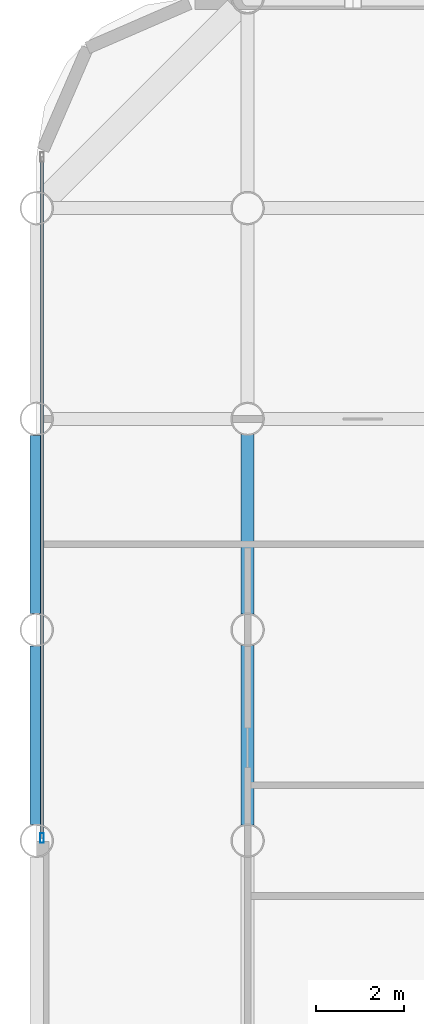
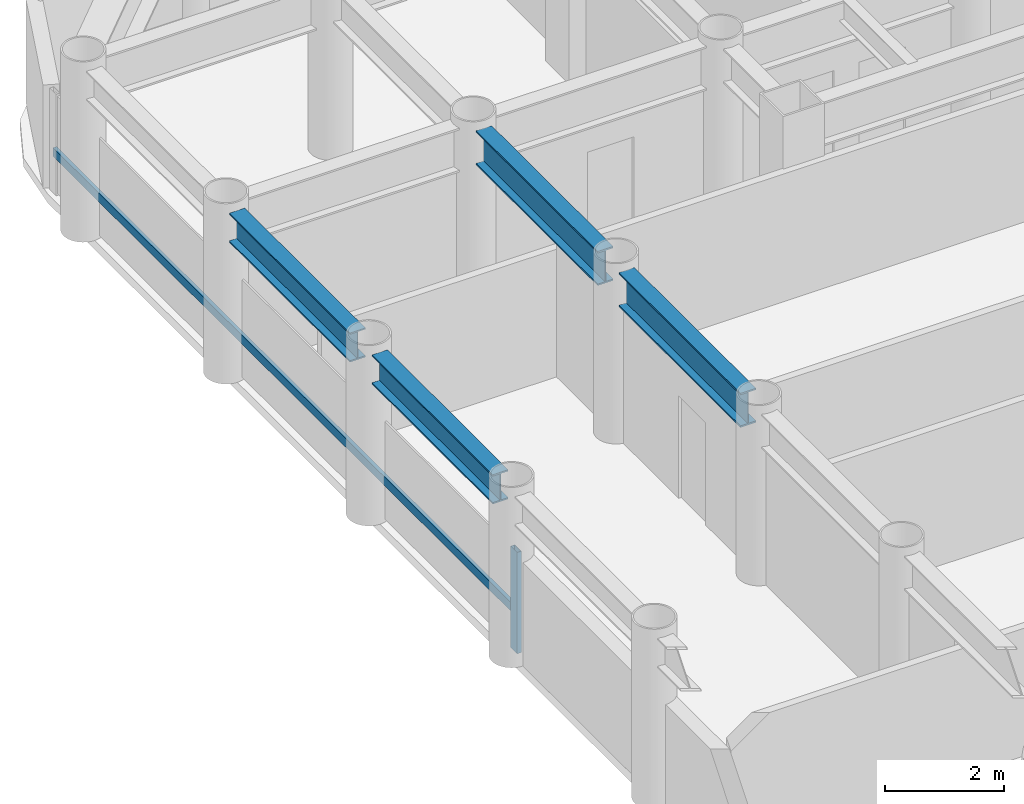
# One storey, part 4 of 21: 4 beams, 2 members, 1 element without a shape of its own.
"""IFC4 building model written with IfcOpenShell, lengths in metres."""

from ifc_helpers import new_model, si_unit, direction, frame, origin, origin_2d, place, context, subcontext, project, spatial, hollow_rectangle, i_section, extrude, material, layer, layer_set, material_profile, profile_set, type_object, element, aggregate, save


model = new_model("IFC4")

# Units and contexts
model_context = context("Model", 3, precision=1e-05, world=origin(), true_north=direction((0.0, 1.0)))
body_context = subcontext(model_context, "Body", "Model", "MODEL_VIEW")
ifc_project = project(units=[si_unit("LENGTHUNIT", "METRE"), si_unit("AREAUNIT", "SQUARE_METRE"), si_unit("VOLUMEUNIT", "CUBIC_METRE"), si_unit("PLANEANGLEUNIT", "RADIAN"), si_unit("MASSUNIT", "GRAM", prefix="KILO")], contexts=[model_context])

# Site, building, storey
site_placement = place(None, origin())
site = spatial("IfcSite", under=ifc_project, at=site_placement, CompositionType="ELEMENT")
building_placement = place(site_placement, origin())
building = spatial("IfcBuilding", under=site, at=building_placement, Name="Kallvorn Hotel Tower", CompositionType="ELEMENT")
storey_placement = place(building_placement, frame((0.0, 0.0, 41.10009765625)))
storey = spatial("IfcBuildingStorey", under=building, at=storey_placement, Name="L08", CompositionType="ELEMENT", Elevation=41.10009765625)

# Beams
ifc_material_1 = material(Name="Structural steel S355JR", Category="steel")
ifc_material_profile_1 = material_profile(ifc_material_1, i_section(OverallWidth=0.300048828125, OverallDepth=0.60009765625, WebThickness=0.015380859375, FlangeThickness=0.030029296875, at=origin_2d()), Name="HE 600 B")
ifc_profile_set_1 = profile_set([ifc_material_profile_1], Name="Structural steel S355JR")
beam_type_1 = type_object("IfcBeamType", Name="BM_HE600B", PredefinedType="SPANDREL", material=ifc_profile_set_1)
beam_1_placement = place(storey_placement, frame((-33.60009765625, 0.37109375, 3.219970703125), z_axis=(0.0, 1.0, 0.0), x_axis=(-1.0, 0.0, 0.0)))
element("IfcBeam", 1, at=beam_1_placement, inside=storey, type_object=beam_type_1, Name="L09 Perimeter Spandrel 178", PredefinedType="SPANDREL", context=body_context, shape_type="SweptSolid", body=[
    extrude(i_section(OverallWidth=0.300048828125, OverallDepth=0.60009765625, WebThickness=0.015380859375, FlangeThickness=0.030029296875, at=origin_2d()), origin(), (0.0, 0.0, 1.0), 4.057861328125),
])
beam_2_placement = place(storey_placement, frame((-33.60009765625, 5.1708984375, 3.219970703125), z_axis=(0.0, 1.0, 0.0), x_axis=(-1.0, 0.0, 0.0)))
element("IfcBeam", 2, at=beam_2_placement, inside=storey, type_object=beam_type_1, Name="L09 Perimeter Spandrel 179", PredefinedType="SPANDREL", context=body_context, shape_type="SweptSolid", body=[
    extrude(i_section(OverallWidth=0.300048828125, OverallDepth=0.60009765625, WebThickness=0.015380859375, FlangeThickness=0.030029296875, at=origin_2d()), origin(), (0.0, 0.0, 1.0), 4.05810546875),
])
ifc_material_2 = material(Name="Structural steel S355JR", Category="steel")
ifc_material_profile_2 = material_profile(ifc_material_2, i_section(OverallWidth=0.300048828125, OverallDepth=0.699951171875, WebThickness=0.01708984375, FlangeThickness=0.031982421875, at=origin_2d()), Name="HE 700 B")
ifc_profile_set_2 = profile_set([ifc_material_profile_2], Name="Structural steel S355JR")
beam_type_2 = type_object("IfcBeamType", Name="BM_HE700B", PredefinedType="BEAM", material=ifc_profile_set_2)
beam_3_placement = place(storey_placement, frame((-28.800048828125, 0.35595703125, 3.169921875), z_axis=(0.0, 1.0, 0.0), x_axis=(-1.0, 0.0, 0.0)))
element("IfcBeam", 3, at=beam_3_placement, inside=storey, type_object=beam_type_2, Name="L09 Primary Y-Girder 78", PredefinedType="BEAM", context=body_context, shape_type="SweptSolid", body=[
    extrude(i_section(OverallWidth=0.300048828125, OverallDepth=0.699951171875, WebThickness=0.01708984375, FlangeThickness=0.031982421875, at=origin_2d()), origin(), (0.0, 0.0, 1.0), 4.088134765625),
])
beam_4_placement = place(storey_placement, frame((-28.800048828125, 5.156005859375, 3.169921875), z_axis=(0.0, 1.0, 0.0), x_axis=(-1.0, 0.0, 0.0)))
element("IfcBeam", 4, at=beam_4_placement, inside=storey, type_object=beam_type_2, Name="L09 Primary Y-Girder 79", PredefinedType="BEAM", context=body_context, shape_type="SweptSolid", body=[
    extrude(i_section(OverallWidth=0.300048828125, OverallDepth=0.699951171875, WebThickness=0.01708984375, FlangeThickness=0.031982421875, at=origin_2d()), origin(), (0.0, 0.0, 1.0), 4.087890625),
])

# Curtain wall, members
ifc_material_3 = material(Name="Thermally broken black-anodised aluminium AA 6063-T6", Category="aluminium")
ifc_layer = layer(ifc_material_3, 0.199951171875)
ifc_layer_set = layer_set([ifc_layer], Name="CW_SYS_3_HOTEL_LOW")
curtain_wall_type = type_object("IfcCurtainWallType", Name="CW_SYS_3_HOTEL_LOW", PredefinedType="USERDEFINED", material=ifc_layer_set)
curtain_wall_placement = place(storey_placement, origin())
curtain_wall = element("IfcCurtainWall", 5, at=curtain_wall_placement, inside=storey, type_object=curtain_wall_type, Name="L08 Dark-Glass Curtain Wall CW-L08-WN", ObjectType="UNITISED CURTAIN WALL", PredefinedType="USERDEFINED")
ifc_material_4 = material(Name="Thermally broken black-anodised aluminium AA 6063-T6", Category="aluminium")
ifc_material_profile_3 = material_profile(ifc_material_4, hollow_rectangle(XDim=0.080078125, YDim=0.219970703125, WallThickness=0.0048828125, at=origin_2d()), Name="MUL 220x80")
ifc_profile_set_3 = profile_set([ifc_material_profile_3], Name="Thermally broken black-anodised aluminium AA 6063-T6")
member_type_1 = type_object("IfcMemberType", Name="CW_MULLION_220x80", PredefinedType="MULLION", material=ifc_profile_set_3)
member_1_placement = place(storey_placement, frame((-33.47998046875, 0.06005859375, 0.02001953125), z_axis=(0.0, 0.0, 1.0), x_axis=(1.0, 0.0, 0.0)))
member_1 = element("IfcMember", 6, at=member_1_placement, type_object=member_type_1, Name="CW-L08-WN Mullion 00", PredefinedType="MULLION", context=body_context, shape_type="SweptSolid", body=[
    extrude(hollow_rectangle(XDim=0.080078125, YDim=0.219970703125, WallThickness=0.0048828125, at=origin_2d()), origin(), (0.0, 0.0, 1.0), 2.079833984375),
])
ifc_material_5 = material(Name="Thermally broken black-anodised aluminium AA 6063-T6", Category="aluminium")
ifc_material_profile_4 = material_profile(ifc_material_5, hollow_rectangle(XDim=0.070068359375, YDim=0.179931640625, WallThickness=0.00390625, at=origin_2d()), Name="TRN 180x70")
ifc_profile_set_4 = profile_set([ifc_material_profile_4], Name="Thermally broken black-anodised aluminium AA 6063-T6")
member_type_2 = type_object("IfcMemberType", Name="CW_TRANSOM_180x70", PredefinedType="USERDEFINED", material=ifc_profile_set_4)
member_2_placement = place(storey_placement, frame((-33.47998046875, 0.06005859375, 0.849853515625), z_axis=(0.0, 1.0, 0.0), x_axis=(-1.0, 0.0, 0.0)))
member_2 = element("IfcMember", 7, at=member_2_placement, type_object=member_type_2, Name="CW-L08-WN Transom 00M", ObjectType="TRANSOM", PredefinedType="USERDEFINED", context=body_context, shape_type="SweptSolid", body=[
    extrude(hollow_rectangle(XDim=0.070068359375, YDim=0.179931640625, WallThickness=0.00390625, at=origin_2d()), origin(), (0.0, 0.0, 1.0), 15.5),
])
aggregate(curtain_wall, [member_1, member_2])

save(model, "model.ifc")
